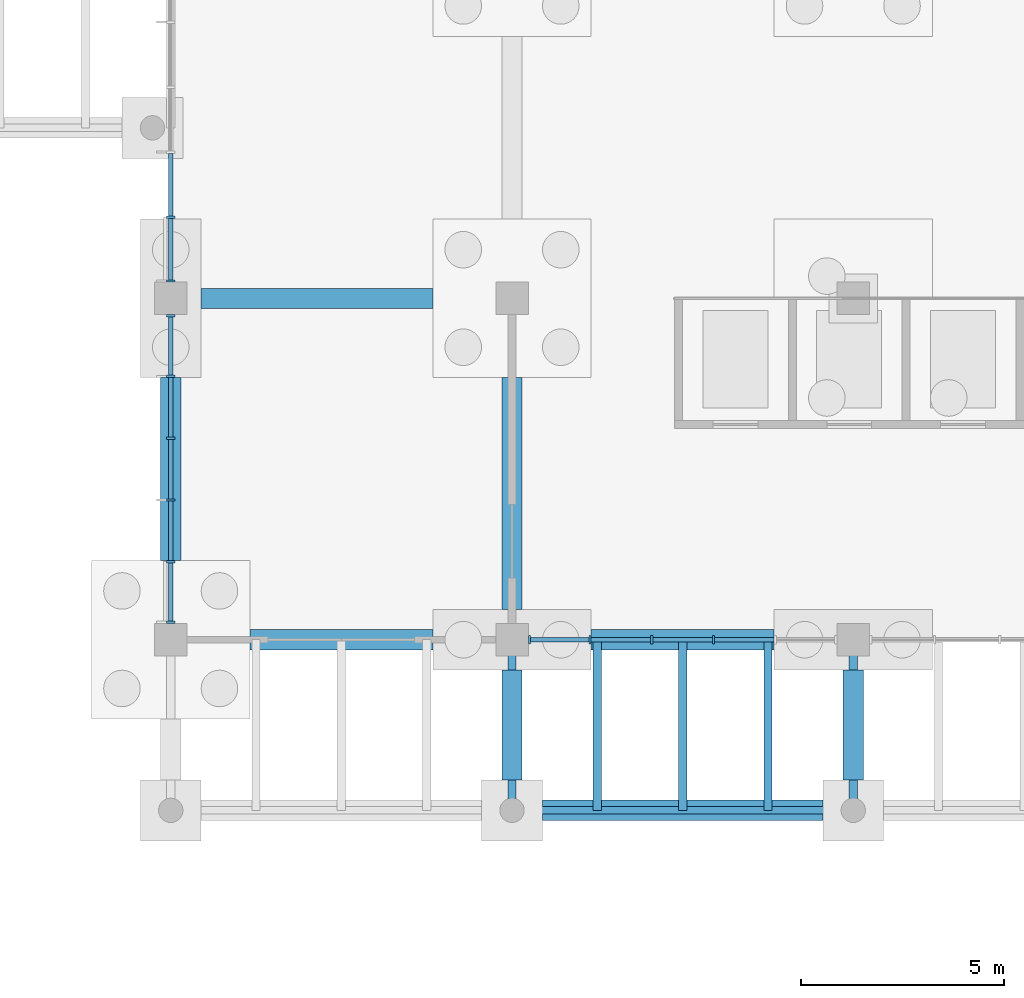
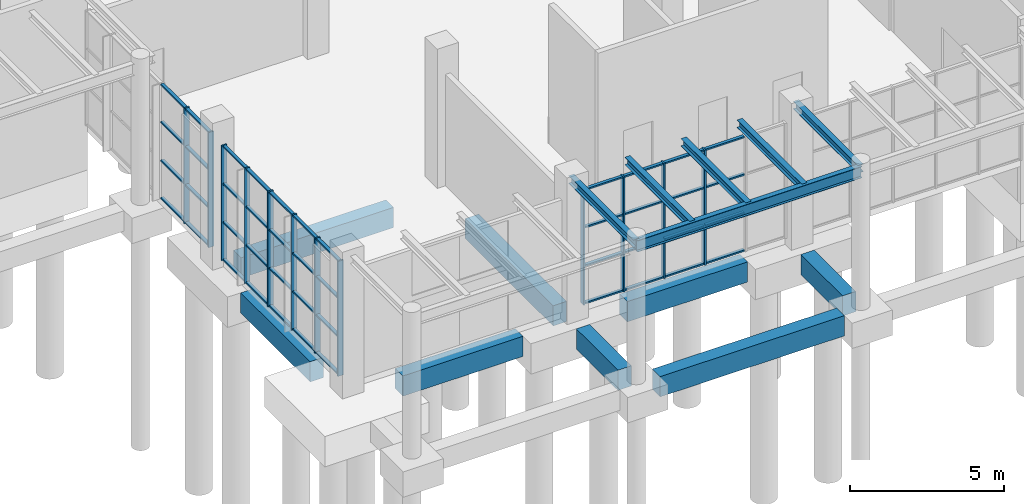
# One storey, part 13 of 82: 61 members, 9 beams, 3 elements without a shape of their own.
"""IFC4 building model written with IfcOpenShell, lengths in metres."""

from ifc_helpers import new_model, si_unit, direction, frame, origin, origin_2d, place, context, subcontext, project, spatial, rectangle, i_section, extrude, material, material_profile, profile_set, type_object, element, aggregate, save


model = new_model("IFC4")

# Units and contexts
model_context = context("Model", 3, precision=1e-05, world=origin(), true_north=direction((0.0, 1.0)))
body_context = subcontext(model_context, "Body", "Model", "MODEL_VIEW")
ifc_project = project(units=[si_unit("LENGTHUNIT", "METRE"), si_unit("AREAUNIT", "SQUARE_METRE"), si_unit("VOLUMEUNIT", "CUBIC_METRE"), si_unit("PLANEANGLEUNIT", "RADIAN"), si_unit("MASSUNIT", "GRAM", prefix="KILO")], contexts=[model_context])

# Site, building, storey
site_placement = place(None, origin())
site = spatial("IfcSite", under=ifc_project, at=site_placement, CompositionType="ELEMENT")
building_placement = place(site_placement, origin())
building = spatial("IfcBuilding", under=site, at=building_placement, Name="Almond Square Museum", CompositionType="ELEMENT")
storey_placement = place(building_placement, origin())
storey = spatial("IfcBuildingStorey", under=building, at=storey_placement, Name="L00", CompositionType="ELEMENT", Elevation=0.0)

# Curtain wall, members
ifc_material_1 = material(Name="Aluminium and laminated glass", Category="aluminium")
curtain_wall_type = type_object("IfcCurtainWallType", Name="Unitised curtain wall 1500 module", PredefinedType="NOTDEFINED", material=ifc_material_1)
curtain_wall_1_placement = place(storey_placement, origin())
curtain_wall_1 = element("IfcCurtainWall", 1, at=curtain_wall_1_placement, inside=storey, type_object=curtain_wall_type, Name="Curtain wall CW-01", PredefinedType="NOTDEFINED")
ifc_material_2 = material(Name="Anodised aluminium", Category="aluminium")
ifc_material_profile_1 = material_profile(ifc_material_2, rectangle(XDim=0.199951171875, YDim=0.06005859375, at=origin_2d()))
ifc_profile_set_1 = profile_set([ifc_material_profile_1], Name="Anodised aluminium")
member_type_1 = type_object("IfcMemberType", Name="Aluminium mullion 60 x 200", PredefinedType="MULLION", material=ifc_profile_set_1)
member_1_placement = place(storey_placement, frame((73.199951171875, 76.030029296875, 0.0), z_axis=(0.0, 0.0, 1.0), x_axis=(-1.0, 0.0, 0.0)))
member_1 = element("IfcMember", 2, at=member_1_placement, type_object=member_type_1, Name="CW-01 mullion 1", PredefinedType="MULLION", context=body_context, shape_type="SweptSolid", body=[
    extrude(rectangle(XDim=0.199951171875, YDim=0.06005859375, at=origin_2d()), origin(), (0.0, 0.0, 1.0), 4.550048828125),
])
member_2_placement = place(storey_placement, frame((73.199951171875, 77.60009765625, 0.0), z_axis=(0.0, 0.0, 1.0), x_axis=(-1.0, 0.0, 0.0)))
member_2 = element("IfcMember", 3, at=member_2_placement, type_object=member_type_1, Name="CW-01 mullion 2", PredefinedType="MULLION", context=body_context, shape_type="SweptSolid", body=[
    extrude(rectangle(XDim=0.199951171875, YDim=0.06005859375, at=origin_2d()), origin(), (0.0, 0.0, 1.0), 4.550048828125),
])

curtain_wall_2_placement = place(storey_placement, origin())
curtain_wall_2 = element("IfcCurtainWall", 4, at=curtain_wall_2_placement, inside=storey, type_object=curtain_wall_type, Name="Curtain wall CW-02", PredefinedType="NOTDEFINED")
member_3_placement = place(storey_placement, frame((73.199951171875, 67.6298828125, 0.0), z_axis=(0.0, 0.0, 1.0), x_axis=(-1.0, 0.0, 0.0)))
member_3 = element("IfcMember", 5, at=member_3_placement, type_object=member_type_1, Name="CW-02 mullion 1", PredefinedType="MULLION", context=body_context, shape_type="SweptSolid", body=[
    extrude(rectangle(XDim=0.199951171875, YDim=0.06005859375, at=origin_2d()), origin(), (0.0, 0.0, 1.0), 4.550048828125),
])
member_4_placement = place(storey_placement, frame((73.199951171875, 69.1201171875, 0.0), z_axis=(0.0, 0.0, 1.0), x_axis=(-1.0, 0.0, 0.0)))
member_4 = element("IfcMember", 6, at=member_4_placement, type_object=member_type_1, Name="CW-02 mullion 2", PredefinedType="MULLION", context=body_context, shape_type="SweptSolid", body=[
    extrude(rectangle(XDim=0.199951171875, YDim=0.06005859375, at=origin_2d()), origin(), (0.0, 0.0, 1.0), 4.550048828125),
])
member_5_placement = place(storey_placement, frame((73.199951171875, 70.639892578125, 0.0), z_axis=(0.0, 0.0, 1.0), x_axis=(-1.0, 0.0, 0.0)))
member_5 = element("IfcMember", 7, at=member_5_placement, type_object=member_type_1, Name="CW-02 mullion 3", PredefinedType="MULLION", context=body_context, shape_type="SweptSolid", body=[
    extrude(rectangle(XDim=0.199951171875, YDim=0.06005859375, at=origin_2d()), origin(), (0.0, 0.0, 1.0), 4.550048828125),
])
member_6_placement = place(storey_placement, frame((73.199951171875, 72.159912109375, 0.0), z_axis=(0.0, 0.0, 1.0), x_axis=(-1.0, 0.0, 0.0)))
member_6 = element("IfcMember", 8, at=member_6_placement, type_object=member_type_1, Name="CW-02 mullion 4", PredefinedType="MULLION", context=body_context, shape_type="SweptSolid", body=[
    extrude(rectangle(XDim=0.199951171875, YDim=0.06005859375, at=origin_2d()), origin(), (0.0, 0.0, 1.0), 4.550048828125),
])
member_7_placement = place(storey_placement, frame((73.199951171875, 73.679931640625, 0.0), z_axis=(0.0, 0.0, 1.0), x_axis=(-1.0, 0.0, 0.0)))
member_7 = element("IfcMember", 9, at=member_7_placement, type_object=member_type_1, Name="CW-02 mullion 5", PredefinedType="MULLION", context=body_context, shape_type="SweptSolid", body=[
    extrude(rectangle(XDim=0.199951171875, YDim=0.06005859375, at=origin_2d()), origin(), (0.0, 0.0, 1.0), 4.550048828125),
])
member_8_placement = place(storey_placement, frame((73.199951171875, 75.169921875, 0.0), z_axis=(0.0, 0.0, 1.0), x_axis=(-1.0, 0.0, 0.0)))
member_8 = element("IfcMember", 10, at=member_8_placement, type_object=member_type_1, Name="CW-02 mullion 6", PredefinedType="MULLION", context=body_context, shape_type="SweptSolid", body=[
    extrude(rectangle(XDim=0.199951171875, YDim=0.06005859375, at=origin_2d()), origin(), (0.0, 0.0, 1.0), 4.550048828125),
])

curtain_wall_3_placement = place(storey_placement, origin())
curtain_wall_3 = element("IfcCurtainWall", 11, at=curtain_wall_3_placement, inside=storey, type_object=curtain_wall_type, Name="Curtain wall CW-03", PredefinedType="NOTDEFINED")
member_9_placement = place(storey_placement, frame((82.030029296875, 67.199951171875, 0.0), z_axis=(0.0, 0.0, 1.0), x_axis=(0.0, 1.0, 0.0)))
member_9 = element("IfcMember", 12, at=member_9_placement, type_object=member_type_1, Name="CW-03 mullion 1", PredefinedType="MULLION", context=body_context, shape_type="SweptSolid", body=[
    extrude(rectangle(XDim=0.199951171875, YDim=0.06005859375, at=origin_2d()), origin(), (0.0, 0.0, 1.0), 4.550048828125),
])
member_10_placement = place(storey_placement, frame((83.52001953125, 67.199951171875, 0.0), z_axis=(0.0, 0.0, 1.0), x_axis=(0.0, 1.0, 0.0)))
member_10 = element("IfcMember", 13, at=member_10_placement, type_object=member_type_1, Name="CW-03 mullion 2", PredefinedType="MULLION", context=body_context, shape_type="SweptSolid", body=[
    extrude(rectangle(XDim=0.199951171875, YDim=0.06005859375, at=origin_2d()), origin(), (0.0, 0.0, 1.0), 4.550048828125),
])
member_11_placement = place(storey_placement, frame((85.0400390625, 67.199951171875, 0.0), z_axis=(0.0, 0.0, 1.0), x_axis=(0.0, 1.0, 0.0)))
member_11 = element("IfcMember", 14, at=member_11_placement, type_object=member_type_1, Name="CW-03 mullion 3", PredefinedType="MULLION", context=body_context, shape_type="SweptSolid", body=[
    extrude(rectangle(XDim=0.199951171875, YDim=0.06005859375, at=origin_2d()), origin(), (0.0, 0.0, 1.0), 4.550048828125),
])
member_12_placement = place(storey_placement, frame((86.56005859375, 67.199951171875, 0.0), z_axis=(0.0, 0.0, 1.0), x_axis=(0.0, 1.0, 0.0)))
member_12 = element("IfcMember", 15, at=member_12_placement, type_object=member_type_1, Name="CW-03 mullion 4", PredefinedType="MULLION", context=body_context, shape_type="SweptSolid", body=[
    extrude(rectangle(XDim=0.199951171875, YDim=0.06005859375, at=origin_2d()), origin(), (0.0, 0.0, 1.0), 4.550048828125),
])

# Member
ifc_material_3 = material(Name="Anodised aluminium", Category="aluminium")
ifc_material_profile_2 = material_profile(ifc_material_3, rectangle(XDim=0.1201171875, YDim=0.06005859375, at=origin_2d()))
ifc_profile_set_2 = profile_set([ifc_material_profile_2], Name="Anodised aluminium")
member_type_2 = type_object("IfcMemberType", Name="Aluminium transom 60 x 120", PredefinedType="USERDEFINED", material=ifc_profile_set_2)
member_13_placement = place(storey_placement, frame((73.199951171875, 76.06005859375, 0.030029296875), z_axis=(0.0, 1.0, 0.0), x_axis=(-1.0, 0.0, 0.0)))
member_13 = element("IfcMember", 16, at=member_13_placement, type_object=member_type_2, Name="CW-01 transom 1.1", ObjectType="TRANSOM", PredefinedType="USERDEFINED", context=body_context, shape_type="SweptSolid", body=[
    extrude(rectangle(XDim=0.1201171875, YDim=0.06005859375, at=origin_2d()), origin(), (0.0, 0.0, 1.0), 1.510009765625),
])

member_14_placement = place(storey_placement, frame((73.199951171875, 76.06005859375, 1.5166015625), z_axis=(0.0, 1.0, 0.0), x_axis=(-1.0, 0.0, 0.0)))
member_14 = element("IfcMember", 17, at=member_14_placement, type_object=member_type_2, Name="CW-01 transom 1.2", ObjectType="TRANSOM", PredefinedType="USERDEFINED", context=body_context, shape_type="SweptSolid", body=[
    extrude(rectangle(XDim=0.1201171875, YDim=0.06005859375, at=origin_2d()), origin(), (0.0, 0.0, 1.0), 1.510009765625),
])

member_15_placement = place(storey_placement, frame((73.199951171875, 76.06005859375, 3.033447265625), z_axis=(0.0, 1.0, 0.0), x_axis=(-1.0, 0.0, 0.0)))
member_15 = element("IfcMember", 18, at=member_15_placement, type_object=member_type_2, Name="CW-01 transom 1.3", ObjectType="TRANSOM", PredefinedType="USERDEFINED", context=body_context, shape_type="SweptSolid", body=[
    extrude(rectangle(XDim=0.1201171875, YDim=0.06005859375, at=origin_2d()), origin(), (0.0, 0.0, 1.0), 1.510009765625),
])

member_16_placement = place(storey_placement, frame((73.199951171875, 76.06005859375, 4.52001953125), z_axis=(0.0, 1.0, 0.0), x_axis=(-1.0, 0.0, 0.0)))
member_16 = element("IfcMember", 19, at=member_16_placement, type_object=member_type_2, Name="CW-01 transom 1.4", ObjectType="TRANSOM", PredefinedType="USERDEFINED", context=body_context, shape_type="SweptSolid", body=[
    extrude(rectangle(XDim=0.1201171875, YDim=0.06005859375, at=origin_2d()), origin(), (0.0, 0.0, 1.0), 1.510009765625),
])

member_17_placement = place(storey_placement, frame((73.199951171875, 77.6298828125, 0.030029296875), z_axis=(0.0, 1.0, 0.0), x_axis=(-1.0, 0.0, 0.0)))
member_17 = element("IfcMember", 20, at=member_17_placement, type_object=member_type_2, Name="CW-01 transom 2.1", ObjectType="TRANSOM", PredefinedType="USERDEFINED", context=body_context, shape_type="SweptSolid", body=[
    extrude(rectangle(XDim=0.1201171875, YDim=0.06005859375, at=origin_2d()), origin(), (0.0, 0.0, 1.0), 1.5400390625),
])

member_18_placement = place(storey_placement, frame((73.199951171875, 77.6298828125, 1.5166015625), z_axis=(0.0, 1.0, 0.0), x_axis=(-1.0, 0.0, 0.0)))
member_18 = element("IfcMember", 21, at=member_18_placement, type_object=member_type_2, Name="CW-01 transom 2.2", ObjectType="TRANSOM", PredefinedType="USERDEFINED", context=body_context, shape_type="SweptSolid", body=[
    extrude(rectangle(XDim=0.1201171875, YDim=0.06005859375, at=origin_2d()), origin(), (0.0, 0.0, 1.0), 1.5400390625),
])

member_19_placement = place(storey_placement, frame((73.199951171875, 77.6298828125, 3.033447265625), z_axis=(0.0, 1.0, 0.0), x_axis=(-1.0, 0.0, 0.0)))
member_19 = element("IfcMember", 22, at=member_19_placement, type_object=member_type_2, Name="CW-01 transom 2.3", ObjectType="TRANSOM", PredefinedType="USERDEFINED", context=body_context, shape_type="SweptSolid", body=[
    extrude(rectangle(XDim=0.1201171875, YDim=0.06005859375, at=origin_2d()), origin(), (0.0, 0.0, 1.0), 1.5400390625),
])

member_20_placement = place(storey_placement, frame((73.199951171875, 77.6298828125, 4.52001953125), z_axis=(0.0, 1.0, 0.0), x_axis=(-1.0, 0.0, 0.0)))
member_20 = element("IfcMember", 23, at=member_20_placement, type_object=member_type_2, Name="CW-01 transom 2.4", ObjectType="TRANSOM", PredefinedType="USERDEFINED", context=body_context, shape_type="SweptSolid", body=[
    extrude(rectangle(XDim=0.1201171875, YDim=0.06005859375, at=origin_2d()), origin(), (0.0, 0.0, 1.0), 1.5400390625),
])

aggregate(curtain_wall_1, [member_1, member_2, member_13, member_14, member_15, member_16, member_17, member_18, member_19, member_20])

member_21_placement = place(storey_placement, frame((73.199951171875, 67.659912109375, 0.030029296875), z_axis=(0.0, 1.0, 0.0), x_axis=(-1.0, 0.0, 0.0)))
member_21 = element("IfcMember", 24, at=member_21_placement, type_object=member_type_2, Name="CW-02 transom 1.1", ObjectType="TRANSOM", PredefinedType="USERDEFINED", context=body_context, shape_type="SweptSolid", body=[
    extrude(rectangle(XDim=0.1201171875, YDim=0.06005859375, at=origin_2d()), origin(), (0.0, 0.0, 1.0), 1.43017578125),
])

member_22_placement = place(storey_placement, frame((73.199951171875, 67.659912109375, 1.5166015625), z_axis=(0.0, 1.0, 0.0), x_axis=(-1.0, 0.0, 0.0)))
member_22 = element("IfcMember", 25, at=member_22_placement, type_object=member_type_2, Name="CW-02 transom 1.2", ObjectType="TRANSOM", PredefinedType="USERDEFINED", context=body_context, shape_type="SweptSolid", body=[
    extrude(rectangle(XDim=0.1201171875, YDim=0.06005859375, at=origin_2d()), origin(), (0.0, 0.0, 1.0), 1.43017578125),
])

member_23_placement = place(storey_placement, frame((73.199951171875, 67.659912109375, 3.033447265625), z_axis=(0.0, 1.0, 0.0), x_axis=(-1.0, 0.0, 0.0)))
member_23 = element("IfcMember", 26, at=member_23_placement, type_object=member_type_2, Name="CW-02 transom 1.3", ObjectType="TRANSOM", PredefinedType="USERDEFINED", context=body_context, shape_type="SweptSolid", body=[
    extrude(rectangle(XDim=0.1201171875, YDim=0.06005859375, at=origin_2d()), origin(), (0.0, 0.0, 1.0), 1.43017578125),
])

member_24_placement = place(storey_placement, frame((73.199951171875, 67.659912109375, 4.52001953125), z_axis=(0.0, 1.0, 0.0), x_axis=(-1.0, 0.0, 0.0)))
member_24 = element("IfcMember", 27, at=member_24_placement, type_object=member_type_2, Name="CW-02 transom 1.4", ObjectType="TRANSOM", PredefinedType="USERDEFINED", context=body_context, shape_type="SweptSolid", body=[
    extrude(rectangle(XDim=0.1201171875, YDim=0.06005859375, at=origin_2d()), origin(), (0.0, 0.0, 1.0), 1.43017578125),
])

member_25_placement = place(storey_placement, frame((73.199951171875, 69.14990234375, 0.030029296875), z_axis=(0.0, 1.0, 0.0), x_axis=(-1.0, 0.0, 0.0)))
member_25 = element("IfcMember", 28, at=member_25_placement, type_object=member_type_2, Name="CW-02 transom 2.1", ObjectType="TRANSOM", PredefinedType="USERDEFINED", context=body_context, shape_type="SweptSolid", body=[
    extrude(rectangle(XDim=0.1201171875, YDim=0.06005859375, at=origin_2d()), origin(), (0.0, 0.0, 1.0), 1.460205078125),
])

member_26_placement = place(storey_placement, frame((73.199951171875, 69.14990234375, 1.5166015625), z_axis=(0.0, 1.0, 0.0), x_axis=(-1.0, 0.0, 0.0)))
member_26 = element("IfcMember", 29, at=member_26_placement, type_object=member_type_2, Name="CW-02 transom 2.2", ObjectType="TRANSOM", PredefinedType="USERDEFINED", context=body_context, shape_type="SweptSolid", body=[
    extrude(rectangle(XDim=0.1201171875, YDim=0.06005859375, at=origin_2d()), origin(), (0.0, 0.0, 1.0), 1.460205078125),
])

member_27_placement = place(storey_placement, frame((73.199951171875, 69.14990234375, 3.033447265625), z_axis=(0.0, 1.0, 0.0), x_axis=(-1.0, 0.0, 0.0)))
member_27 = element("IfcMember", 30, at=member_27_placement, type_object=member_type_2, Name="CW-02 transom 2.3", ObjectType="TRANSOM", PredefinedType="USERDEFINED", context=body_context, shape_type="SweptSolid", body=[
    extrude(rectangle(XDim=0.1201171875, YDim=0.06005859375, at=origin_2d()), origin(), (0.0, 0.0, 1.0), 1.460205078125),
])

member_28_placement = place(storey_placement, frame((73.199951171875, 69.14990234375, 4.52001953125), z_axis=(0.0, 1.0, 0.0), x_axis=(-1.0, 0.0, 0.0)))
member_28 = element("IfcMember", 31, at=member_28_placement, type_object=member_type_2, Name="CW-02 transom 2.4", ObjectType="TRANSOM", PredefinedType="USERDEFINED", context=body_context, shape_type="SweptSolid", body=[
    extrude(rectangle(XDim=0.1201171875, YDim=0.06005859375, at=origin_2d()), origin(), (0.0, 0.0, 1.0), 1.460205078125),
])

member_29_placement = place(storey_placement, frame((73.199951171875, 70.669921875, 0.030029296875), z_axis=(0.0, 1.0, 0.0), x_axis=(-1.0, 0.0, 0.0)))
member_29 = element("IfcMember", 32, at=member_29_placement, type_object=member_type_2, Name="CW-02 transom 3.1", ObjectType="TRANSOM", PredefinedType="USERDEFINED", context=body_context, shape_type="SweptSolid", body=[
    extrude(rectangle(XDim=0.1201171875, YDim=0.06005859375, at=origin_2d()), origin(), (0.0, 0.0, 1.0), 1.4599609375),
])

member_30_placement = place(storey_placement, frame((73.199951171875, 70.669921875, 1.5166015625), z_axis=(0.0, 1.0, 0.0), x_axis=(-1.0, 0.0, 0.0)))
member_30 = element("IfcMember", 33, at=member_30_placement, type_object=member_type_2, Name="CW-02 transom 3.2", ObjectType="TRANSOM", PredefinedType="USERDEFINED", context=body_context, shape_type="SweptSolid", body=[
    extrude(rectangle(XDim=0.1201171875, YDim=0.06005859375, at=origin_2d()), origin(), (0.0, 0.0, 1.0), 1.4599609375),
])

member_31_placement = place(storey_placement, frame((73.199951171875, 70.669921875, 3.033447265625), z_axis=(0.0, 1.0, 0.0), x_axis=(-1.0, 0.0, 0.0)))
member_31 = element("IfcMember", 34, at=member_31_placement, type_object=member_type_2, Name="CW-02 transom 3.3", ObjectType="TRANSOM", PredefinedType="USERDEFINED", context=body_context, shape_type="SweptSolid", body=[
    extrude(rectangle(XDim=0.1201171875, YDim=0.06005859375, at=origin_2d()), origin(), (0.0, 0.0, 1.0), 1.4599609375),
])

member_32_placement = place(storey_placement, frame((73.199951171875, 70.669921875, 4.52001953125), z_axis=(0.0, 1.0, 0.0), x_axis=(-1.0, 0.0, 0.0)))
member_32 = element("IfcMember", 35, at=member_32_placement, type_object=member_type_2, Name="CW-02 transom 3.4", ObjectType="TRANSOM", PredefinedType="USERDEFINED", context=body_context, shape_type="SweptSolid", body=[
    extrude(rectangle(XDim=0.1201171875, YDim=0.06005859375, at=origin_2d()), origin(), (0.0, 0.0, 1.0), 1.4599609375),
])

member_33_placement = place(storey_placement, frame((73.199951171875, 72.18994140625, 0.030029296875), z_axis=(0.0, 1.0, 0.0), x_axis=(-1.0, 0.0, 0.0)))
member_33 = element("IfcMember", 36, at=member_33_placement, type_object=member_type_2, Name="CW-02 transom 4.1", ObjectType="TRANSOM", PredefinedType="USERDEFINED", context=body_context, shape_type="SweptSolid", body=[
    extrude(rectangle(XDim=0.1201171875, YDim=0.06005859375, at=origin_2d()), origin(), (0.0, 0.0, 1.0), 1.4599609375),
])

member_34_placement = place(storey_placement, frame((73.199951171875, 72.18994140625, 1.5166015625), z_axis=(0.0, 1.0, 0.0), x_axis=(-1.0, 0.0, 0.0)))
member_34 = element("IfcMember", 37, at=member_34_placement, type_object=member_type_2, Name="CW-02 transom 4.2", ObjectType="TRANSOM", PredefinedType="USERDEFINED", context=body_context, shape_type="SweptSolid", body=[
    extrude(rectangle(XDim=0.1201171875, YDim=0.06005859375, at=origin_2d()), origin(), (0.0, 0.0, 1.0), 1.4599609375),
])

member_35_placement = place(storey_placement, frame((73.199951171875, 72.18994140625, 3.033447265625), z_axis=(0.0, 1.0, 0.0), x_axis=(-1.0, 0.0, 0.0)))
member_35 = element("IfcMember", 38, at=member_35_placement, type_object=member_type_2, Name="CW-02 transom 4.3", ObjectType="TRANSOM", PredefinedType="USERDEFINED", context=body_context, shape_type="SweptSolid", body=[
    extrude(rectangle(XDim=0.1201171875, YDim=0.06005859375, at=origin_2d()), origin(), (0.0, 0.0, 1.0), 1.4599609375),
])

member_36_placement = place(storey_placement, frame((73.199951171875, 72.18994140625, 4.52001953125), z_axis=(0.0, 1.0, 0.0), x_axis=(-1.0, 0.0, 0.0)))
member_36 = element("IfcMember", 39, at=member_36_placement, type_object=member_type_2, Name="CW-02 transom 4.4", ObjectType="TRANSOM", PredefinedType="USERDEFINED", context=body_context, shape_type="SweptSolid", body=[
    extrude(rectangle(XDim=0.1201171875, YDim=0.06005859375, at=origin_2d()), origin(), (0.0, 0.0, 1.0), 1.4599609375),
])

member_37_placement = place(storey_placement, frame((73.199951171875, 73.7099609375, 0.030029296875), z_axis=(0.0, 1.0, 0.0), x_axis=(-1.0, 0.0, 0.0)))
member_37 = element("IfcMember", 40, at=member_37_placement, type_object=member_type_2, Name="CW-02 transom 5.1", ObjectType="TRANSOM", PredefinedType="USERDEFINED", context=body_context, shape_type="SweptSolid", body=[
    extrude(rectangle(XDim=0.1201171875, YDim=0.06005859375, at=origin_2d()), origin(), (0.0, 0.0, 1.0), 1.429931640625),
])

member_38_placement = place(storey_placement, frame((73.199951171875, 73.7099609375, 1.5166015625), z_axis=(0.0, 1.0, 0.0), x_axis=(-1.0, 0.0, 0.0)))
member_38 = element("IfcMember", 41, at=member_38_placement, type_object=member_type_2, Name="CW-02 transom 5.2", ObjectType="TRANSOM", PredefinedType="USERDEFINED", context=body_context, shape_type="SweptSolid", body=[
    extrude(rectangle(XDim=0.1201171875, YDim=0.06005859375, at=origin_2d()), origin(), (0.0, 0.0, 1.0), 1.429931640625),
])

member_39_placement = place(storey_placement, frame((73.199951171875, 73.7099609375, 3.033447265625), z_axis=(0.0, 1.0, 0.0), x_axis=(-1.0, 0.0, 0.0)))
member_39 = element("IfcMember", 42, at=member_39_placement, type_object=member_type_2, Name="CW-02 transom 5.3", ObjectType="TRANSOM", PredefinedType="USERDEFINED", context=body_context, shape_type="SweptSolid", body=[
    extrude(rectangle(XDim=0.1201171875, YDim=0.06005859375, at=origin_2d()), origin(), (0.0, 0.0, 1.0), 1.429931640625),
])

member_40_placement = place(storey_placement, frame((73.199951171875, 73.7099609375, 4.52001953125), z_axis=(0.0, 1.0, 0.0), x_axis=(-1.0, 0.0, 0.0)))
member_40 = element("IfcMember", 43, at=member_40_placement, type_object=member_type_2, Name="CW-02 transom 5.4", ObjectType="TRANSOM", PredefinedType="USERDEFINED", context=body_context, shape_type="SweptSolid", body=[
    extrude(rectangle(XDim=0.1201171875, YDim=0.06005859375, at=origin_2d()), origin(), (0.0, 0.0, 1.0), 1.429931640625),
])

aggregate(curtain_wall_2, [member_3, member_4, member_5, member_6, member_7, member_8, member_21, member_22, member_23, member_24, member_25, member_26, member_27, member_28, member_29, member_30, member_31, member_32, member_33, member_34, member_35, member_36, member_37, member_38, member_39, member_40])

member_41_placement = place(storey_placement, frame((82.06005859375, 67.199951171875, 0.030029296875), z_axis=(1.0, 0.0, 0.0), x_axis=(0.0, 1.0, 0.0)))
member_41 = element("IfcMember", 44, at=member_41_placement, type_object=member_type_2, Name="CW-03 transom 1.1", ObjectType="TRANSOM", PredefinedType="USERDEFINED", context=body_context, shape_type="SweptSolid", body=[
    extrude(rectangle(XDim=0.1201171875, YDim=0.06005859375, at=origin_2d()), origin(), (0.0, 0.0, 1.0), 1.429931640625),
])

member_42_placement = place(storey_placement, frame((82.06005859375, 67.199951171875, 1.5166015625), z_axis=(1.0, 0.0, 0.0), x_axis=(0.0, 1.0, 0.0)))
member_42 = element("IfcMember", 45, at=member_42_placement, type_object=member_type_2, Name="CW-03 transom 1.2", ObjectType="TRANSOM", PredefinedType="USERDEFINED", context=body_context, shape_type="SweptSolid", body=[
    extrude(rectangle(XDim=0.1201171875, YDim=0.06005859375, at=origin_2d()), origin(), (0.0, 0.0, 1.0), 1.429931640625),
])

member_43_placement = place(storey_placement, frame((82.06005859375, 67.199951171875, 3.033447265625), z_axis=(1.0, 0.0, 0.0), x_axis=(0.0, 1.0, 0.0)))
member_43 = element("IfcMember", 46, at=member_43_placement, type_object=member_type_2, Name="CW-03 transom 1.3", ObjectType="TRANSOM", PredefinedType="USERDEFINED", context=body_context, shape_type="SweptSolid", body=[
    extrude(rectangle(XDim=0.1201171875, YDim=0.06005859375, at=origin_2d()), origin(), (0.0, 0.0, 1.0), 1.429931640625),
])

member_44_placement = place(storey_placement, frame((82.06005859375, 67.199951171875, 4.52001953125), z_axis=(1.0, 0.0, 0.0), x_axis=(0.0, 1.0, 0.0)))
member_44 = element("IfcMember", 47, at=member_44_placement, type_object=member_type_2, Name="CW-03 transom 1.4", ObjectType="TRANSOM", PredefinedType="USERDEFINED", context=body_context, shape_type="SweptSolid", body=[
    extrude(rectangle(XDim=0.1201171875, YDim=0.06005859375, at=origin_2d()), origin(), (0.0, 0.0, 1.0), 1.429931640625),
])

member_45_placement = place(storey_placement, frame((83.550048828125, 67.199951171875, 0.030029296875), z_axis=(1.0, 0.0, 0.0), x_axis=(0.0, 1.0, 0.0)))
member_45 = element("IfcMember", 48, at=member_45_placement, type_object=member_type_2, Name="CW-03 transom 2.1", ObjectType="TRANSOM", PredefinedType="USERDEFINED", context=body_context, shape_type="SweptSolid", body=[
    extrude(rectangle(XDim=0.1201171875, YDim=0.06005859375, at=origin_2d()), origin(), (0.0, 0.0, 1.0), 1.4599609375),
])

member_46_placement = place(storey_placement, frame((83.550048828125, 67.199951171875, 1.5166015625), z_axis=(1.0, 0.0, 0.0), x_axis=(0.0, 1.0, 0.0)))
member_46 = element("IfcMember", 49, at=member_46_placement, type_object=member_type_2, Name="CW-03 transom 2.2", ObjectType="TRANSOM", PredefinedType="USERDEFINED", context=body_context, shape_type="SweptSolid", body=[
    extrude(rectangle(XDim=0.1201171875, YDim=0.06005859375, at=origin_2d()), origin(), (0.0, 0.0, 1.0), 1.4599609375),
])

member_47_placement = place(storey_placement, frame((83.550048828125, 67.199951171875, 3.033447265625), z_axis=(1.0, 0.0, 0.0), x_axis=(0.0, 1.0, 0.0)))
member_47 = element("IfcMember", 50, at=member_47_placement, type_object=member_type_2, Name="CW-03 transom 2.3", ObjectType="TRANSOM", PredefinedType="USERDEFINED", context=body_context, shape_type="SweptSolid", body=[
    extrude(rectangle(XDim=0.1201171875, YDim=0.06005859375, at=origin_2d()), origin(), (0.0, 0.0, 1.0), 1.4599609375),
])

member_48_placement = place(storey_placement, frame((83.550048828125, 67.199951171875, 4.52001953125), z_axis=(1.0, 0.0, 0.0), x_axis=(0.0, 1.0, 0.0)))
member_48 = element("IfcMember", 51, at=member_48_placement, type_object=member_type_2, Name="CW-03 transom 2.4", ObjectType="TRANSOM", PredefinedType="USERDEFINED", context=body_context, shape_type="SweptSolid", body=[
    extrude(rectangle(XDim=0.1201171875, YDim=0.06005859375, at=origin_2d()), origin(), (0.0, 0.0, 1.0), 1.4599609375),
])

member_49_placement = place(storey_placement, frame((85.070068359375, 67.199951171875, 0.030029296875), z_axis=(1.0, 0.0, 0.0), x_axis=(0.0, 1.0, 0.0)))
member_49 = element("IfcMember", 52, at=member_49_placement, type_object=member_type_2, Name="CW-03 transom 3.1", ObjectType="TRANSOM", PredefinedType="USERDEFINED", context=body_context, shape_type="SweptSolid", body=[
    extrude(rectangle(XDim=0.1201171875, YDim=0.06005859375, at=origin_2d()), origin(), (0.0, 0.0, 1.0), 1.4599609375),
])

member_50_placement = place(storey_placement, frame((85.070068359375, 67.199951171875, 1.5166015625), z_axis=(1.0, 0.0, 0.0), x_axis=(0.0, 1.0, 0.0)))
member_50 = element("IfcMember", 53, at=member_50_placement, type_object=member_type_2, Name="CW-03 transom 3.2", ObjectType="TRANSOM", PredefinedType="USERDEFINED", context=body_context, shape_type="SweptSolid", body=[
    extrude(rectangle(XDim=0.1201171875, YDim=0.06005859375, at=origin_2d()), origin(), (0.0, 0.0, 1.0), 1.4599609375),
])

member_51_placement = place(storey_placement, frame((85.070068359375, 67.199951171875, 3.033447265625), z_axis=(1.0, 0.0, 0.0), x_axis=(0.0, 1.0, 0.0)))
member_51 = element("IfcMember", 54, at=member_51_placement, type_object=member_type_2, Name="CW-03 transom 3.3", ObjectType="TRANSOM", PredefinedType="USERDEFINED", context=body_context, shape_type="SweptSolid", body=[
    extrude(rectangle(XDim=0.1201171875, YDim=0.06005859375, at=origin_2d()), origin(), (0.0, 0.0, 1.0), 1.4599609375),
])

member_52_placement = place(storey_placement, frame((85.070068359375, 67.199951171875, 4.52001953125), z_axis=(1.0, 0.0, 0.0), x_axis=(0.0, 1.0, 0.0)))
member_52 = element("IfcMember", 55, at=member_52_placement, type_object=member_type_2, Name="CW-03 transom 3.4", ObjectType="TRANSOM", PredefinedType="USERDEFINED", context=body_context, shape_type="SweptSolid", body=[
    extrude(rectangle(XDim=0.1201171875, YDim=0.06005859375, at=origin_2d()), origin(), (0.0, 0.0, 1.0), 1.4599609375),
])

member_53_placement = place(storey_placement, frame((86.590087890625, 67.199951171875, 0.030029296875), z_axis=(1.0, 0.0, 0.0), x_axis=(0.0, 1.0, 0.0)))
member_53 = element("IfcMember", 56, at=member_53_placement, type_object=member_type_2, Name="CW-03 transom 4.1", ObjectType="TRANSOM", PredefinedType="USERDEFINED", context=body_context, shape_type="SweptSolid", body=[
    extrude(rectangle(XDim=0.1201171875, YDim=0.06005859375, at=origin_2d()), origin(), (0.0, 0.0, 1.0), 1.4599609375),
])

member_54_placement = place(storey_placement, frame((86.590087890625, 67.199951171875, 1.5166015625), z_axis=(1.0, 0.0, 0.0), x_axis=(0.0, 1.0, 0.0)))
member_54 = element("IfcMember", 57, at=member_54_placement, type_object=member_type_2, Name="CW-03 transom 4.2", ObjectType="TRANSOM", PredefinedType="USERDEFINED", context=body_context, shape_type="SweptSolid", body=[
    extrude(rectangle(XDim=0.1201171875, YDim=0.06005859375, at=origin_2d()), origin(), (0.0, 0.0, 1.0), 1.4599609375),
])

member_55_placement = place(storey_placement, frame((86.590087890625, 67.199951171875, 3.033447265625), z_axis=(1.0, 0.0, 0.0), x_axis=(0.0, 1.0, 0.0)))
member_55 = element("IfcMember", 58, at=member_55_placement, type_object=member_type_2, Name="CW-03 transom 4.3", ObjectType="TRANSOM", PredefinedType="USERDEFINED", context=body_context, shape_type="SweptSolid", body=[
    extrude(rectangle(XDim=0.1201171875, YDim=0.06005859375, at=origin_2d()), origin(), (0.0, 0.0, 1.0), 1.4599609375),
])

member_56_placement = place(storey_placement, frame((86.590087890625, 67.199951171875, 4.52001953125), z_axis=(1.0, 0.0, 0.0), x_axis=(0.0, 1.0, 0.0)))
member_56 = element("IfcMember", 59, at=member_56_placement, type_object=member_type_2, Name="CW-03 transom 4.4", ObjectType="TRANSOM", PredefinedType="USERDEFINED", context=body_context, shape_type="SweptSolid", body=[
    extrude(rectangle(XDim=0.1201171875, YDim=0.06005859375, at=origin_2d()), origin(), (0.0, 0.0, 1.0), 1.4599609375),
])

aggregate(curtain_wall_3, [member_9, member_10, member_11, member_12, member_41, member_42, member_43, member_44, member_45, member_46, member_47, member_48, member_49, member_50, member_51, member_52, member_53, member_54, member_55, member_56])

# Beams
ifc_material_4 = material(Name="Structural steel S355", Category="steel")
ifc_material_profile_3 = material_profile(ifc_material_4, i_section(OverallWidth=0.19091796875, OverallDepth=0.45703125, WebThickness=0.009033203125, FlangeThickness=0.014404296875, at=origin_2d()))
ifc_profile_set_3 = profile_set([ifc_material_profile_3], Name="Structural steel S355")
beam_type_1 = type_object("IfcBeamType", Name="Eave beam W460x74", PredefinedType="BEAM", material=ifc_profile_set_3)
beam_1_placement = place(storey_placement, frame((81.60009765625, 63.0, 5.021484375), z_axis=(1.0, 0.0, 0.0), x_axis=(0.0, 1.0, 0.0)))
element("IfcBeam", 60, at=beam_1_placement, inside=storey, type_object=beam_type_1, Name="LG-V2 roof edge beam 2", PredefinedType="BEAM", context=body_context, shape_type="SweptSolid", body=[
    extrude(i_section(OverallWidth=0.19091796875, OverallDepth=0.45703125, WebThickness=0.009033203125, FlangeThickness=0.014404296875, at=origin_2d()), origin(), (0.0, 0.0, 1.0), 8.39990234375),
])
ifc_material_5 = material(Name="Concrete C35/45", Category="concrete")
ifc_material_profile_4 = material_profile(ifc_material_5, rectangle(XDim=0.5, YDim=0.800048828125, at=origin_2d()))
ifc_profile_set_4 = profile_set([ifc_material_profile_4], Name="Concrete C35/45")
beam_type_2 = type_object("IfcBeamType", Name="RC ground beam 500 x 800 C35/45", PredefinedType="BEAM", material=ifc_profile_set_4)
beam_2_placement = place(storey_placement, frame((82.35009765625, 63.0, -0.699951171875), z_axis=(1.0, 0.0, 0.0), x_axis=(0.0, 1.0, 0.0)))
element("IfcBeam", 61, at=beam_2_placement, inside=storey, type_object=beam_type_2, Name="Ground beam 085", PredefinedType="BEAM", context=body_context, shape_type="SweptSolid", body=[
    extrude(rectangle(XDim=0.5, YDim=0.800048828125, at=origin_2d()), origin(), (0.0, 0.0, 1.0), 6.89990234375),
])
for number, where, z_axis, x_axis, name in (
    (62, (75.14990234375, 67.199951171875, -0.699951171875), (1.0, 0.0, 0.0), (0.0, 1.0, 0.0), "Ground beam 089"),
    (63, (83.550048828125, 67.199951171875, -0.699951171875), (1.0, 0.0, 0.0), (0.0, 1.0, 0.0), "Ground beam 090"),
):
    element("IfcBeam", number, at=place(storey_placement, frame(where, z_axis=z_axis, x_axis=x_axis)), inside=storey, type_object=beam_type_2, Name=name, PredefinedType="BEAM", context=body_context, shape_type="SweptSolid", body=[
        extrude(rectangle(XDim=0.5, YDim=0.800048828125, at=origin_2d()), origin(), (0.0, 0.0, 1.0), 4.5),
    ])
beam_3_placement = place(storey_placement, frame((73.949951171875, 75.60009765625, -0.699951171875), z_axis=(1.0, 0.0, 0.0), x_axis=(0.0, 1.0, 0.0)))
element("IfcBeam", 64, at=beam_3_placement, inside=storey, type_object=beam_type_2, Name="Ground beam 099", PredefinedType="BEAM", context=body_context, shape_type="SweptSolid", body=[
    extrude(rectangle(XDim=0.5, YDim=0.800048828125, at=origin_2d()), origin(), (0.0, 0.0, 1.0), 5.699951171875),
])
beam_4_placement = place(storey_placement, frame((73.199951171875, 69.14990234375, -0.699951171875), z_axis=(0.0, 1.0, 0.0), x_axis=(-1.0, 0.0, 0.0)))
element("IfcBeam", 65, at=beam_4_placement, inside=storey, type_object=beam_type_2, Name="Ground beam 230", PredefinedType="BEAM", context=body_context, shape_type="SweptSolid", body=[
    extrude(rectangle(XDim=0.5, YDim=0.800048828125, at=origin_2d()), origin(), (0.0, 0.0, 1.0), 4.5),
])
beam_5_placement = place(storey_placement, frame((81.60009765625, 63.75, -0.699951171875), z_axis=(0.0, 1.0, 0.0), x_axis=(-1.0, 0.0, 0.0)))
element("IfcBeam", 66, at=beam_5_placement, inside=storey, type_object=beam_type_2, Name="Ground beam 234", PredefinedType="BEAM", context=body_context, shape_type="SweptSolid", body=[
    extrude(rectangle(XDim=0.5, YDim=0.800048828125, at=origin_2d()), origin(), (0.0, 0.0, 1.0), 2.699951171875),
])
beam_6_placement = place(storey_placement, frame((81.60009765625, 67.949951171875, -0.699951171875), z_axis=(0.0, 1.0, 0.0), x_axis=(-1.0, 0.0, 0.0)))
element("IfcBeam", 67, at=beam_6_placement, inside=storey, type_object=beam_type_2, Name="Ground beam 235", PredefinedType="BEAM", context=body_context, shape_type="SweptSolid", body=[
    extrude(rectangle(XDim=0.5, YDim=0.800048828125, at=origin_2d()), origin(), (0.0, 0.0, 1.0), 5.699951171875),
])
beam_7_placement = place(storey_placement, frame((90.0, 63.75, -0.699951171875), z_axis=(0.0, 1.0, 0.0), x_axis=(-1.0, 0.0, 0.0)))
element("IfcBeam", 68, at=beam_7_placement, inside=storey, type_object=beam_type_2, Name="Ground beam 240", PredefinedType="BEAM", context=body_context, shape_type="SweptSolid", body=[
    extrude(rectangle(XDim=0.5, YDim=0.800048828125, at=origin_2d()), origin(), (0.0, 0.0, 1.0), 2.699951171875),
])

# Members
ifc_material_6 = material(Name="Structural steel S355", Category="steel")
ifc_material_profile_5 = material_profile(ifc_material_6, i_section(OverallWidth=0.202880859375, OverallDepth=0.302001953125, WebThickness=0.007568359375, FlangeThickness=0.01318359375, at=origin_2d()))
ifc_profile_set_5 = profile_set([ifc_material_profile_5], Name="Structural steel S355")
member_type_3 = type_object("IfcMemberType", Name="Steel joist W310x60", PredefinedType="MEMBER", material=ifc_profile_set_5)
for number, where, z_axis, x_axis, name in (
    (69, (81.60009765625, 67.199951171875, 5.09912109375), (0.0, -1.0, 0.0), (1.0, 0.0, 0.0), "LG-V2 roof joist 5"),
    (70, (83.699951171875, 67.199951171875, 5.09912109375), (0.0, -1.0, 0.0), (1.0, 0.0, 0.0), "LG-V2 roof joist 6"),
    (71, (85.800048828125, 67.199951171875, 5.09912109375), (0.0, -1.0, 0.0), (1.0, 0.0, 0.0), "LG-V2 roof joist 7"),
    (72, (87.89990234375, 67.199951171875, 5.09912109375), (0.0, -1.0, 0.0), (1.0, 0.0, 0.0), "LG-V2 roof joist 8"),
    (73, (90.0, 67.199951171875, 5.09912109375), (0.0, -1.0, 0.0), (1.0, 0.0, 0.0), "LG-V2 roof joist 9"),
):
    element("IfcMember", number, at=place(storey_placement, frame(where, z_axis=z_axis, x_axis=x_axis)), inside=storey, type_object=member_type_3, Name=name, PredefinedType="MEMBER", context=body_context, shape_type="SweptSolid", body=[
        extrude(i_section(OverallWidth=0.202880859375, OverallDepth=0.302001953125, WebThickness=0.007568359375, FlangeThickness=0.01318359375, at=origin_2d()), origin(), (0.0, 0.0, 1.0), 4.199951171875),
    ])

save(model, "model.ifc")
